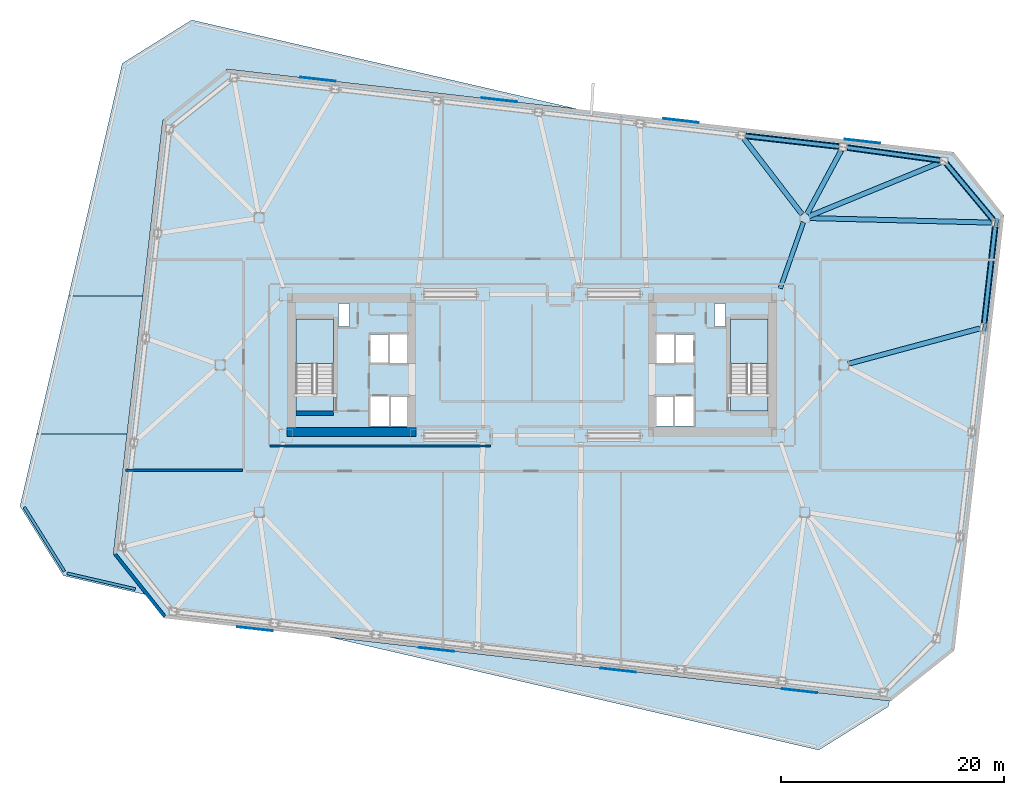
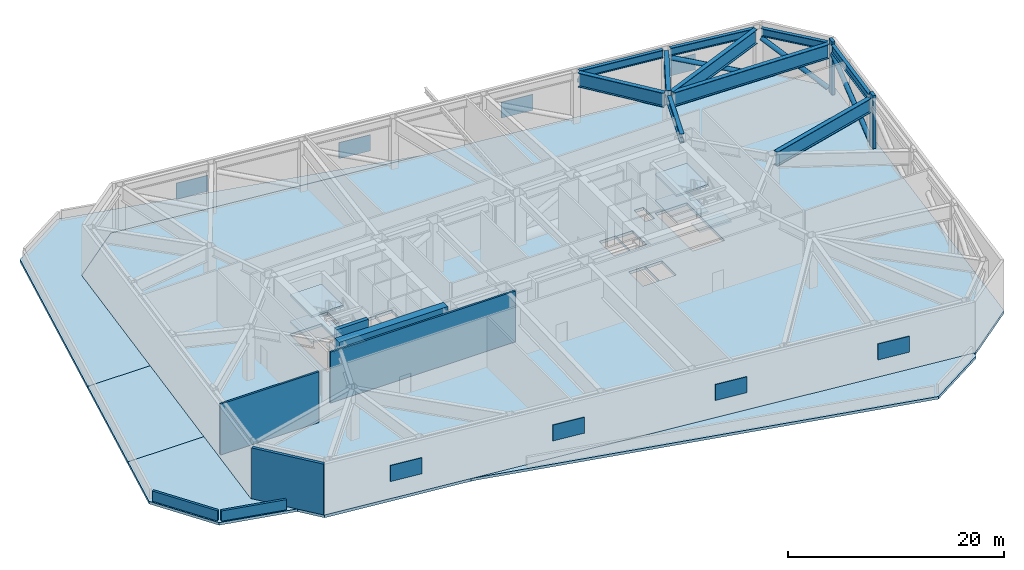
# One storey, part 3 of 14: 11 slabs, 10 beams, 8 plates, 7 walls, 6 members, 2 elements without a shape of their own.
"""IFC4 building model written with IfcOpenShell, lengths in metres."""

from ifc_helpers import new_model, si_unit, direction, frame, frame_2d, origin, origin_2d, place, context, subcontext, project, spatial, polyline, rectangle, hollow_circle, i_section, outline, extrude, material, layer, layer_set, material_profile, profile_set, type_object, element, aggregate, save


model = new_model("IFC4")

# Units and contexts
model_context = context("Model", 3, precision=1e-05, world=origin(), true_north=direction((0.0, 1.0)))
body_context = subcontext(model_context, "Body", "Model", "MODEL_VIEW")
ifc_project = project(units=[si_unit("LENGTHUNIT", "METRE"), si_unit("AREAUNIT", "SQUARE_METRE"), si_unit("VOLUMEUNIT", "CUBIC_METRE"), si_unit("PLANEANGLEUNIT", "RADIAN"), si_unit("MASSUNIT", "GRAM", prefix="KILO")], contexts=[model_context])

# Site, building, storey
site_placement = place(None, origin())
site = spatial("IfcSite", under=ifc_project, at=site_placement, CompositionType="ELEMENT")
building_placement = place(site_placement, origin())
building = spatial("IfcBuilding", under=site, at=building_placement, Name="Tavrogorsk Clinical Tower", CompositionType="ELEMENT")
storey_placement = place(building_placement, frame((0.0, 0.0, 83.39990234375)))
storey = spatial("IfcBuildingStorey", under=building, at=storey_placement, Name="L18", CompositionType="ELEMENT", Elevation=83.39990234375)

# Members
ifc_material_1 = material(Name="Structural steel S440", Category="steel")
ifc_material_profile_1 = material_profile(ifc_material_1, hollow_circle(Radius=0.25390625, WallThickness=0.02001953125, at=origin_2d()), Name="CHS-508x20")
ifc_profile_set_1 = profile_set([ifc_material_profile_1], Name="Structural steel S440")
member_type_1 = type_object("IfcMemberType", Name="ExoBrace_CHS508", PredefinedType="BRACE", material=ifc_profile_set_1)
member_1_placement = place(storey_placement, frame((40.587646484375, 3.6962890625, 0.502197265625), z_axis=(0.102479036309, 0.899437885492, 0.424864139765), x_axis=(-0.993571727242, 0.113204341016, 0.0)))
element("IfcMember", 1, at=member_1_placement, inside=storey, type_object=member_type_1, Name="L18 Exoskeleton Belt Diagonal E4-E5", PredefinedType="BRACE", context=body_context, shape_type="SweptSolid", body=[
    extrude(hollow_circle(Radius=0.25390625, WallThickness=0.02001953125, at=origin_2d()), origin(), (0.0, 0.0, 1.0), 9.734375),
])
member_2_placement = place(storey_placement, frame((41.426513671875, 13.0078125, 0.53759765625), z_axis=(-0.545436882111, 0.654492812187, 0.523581671211), x_axis=(-0.768206152367, -0.640202551905, 0.0)))
element("IfcMember", 2, at=member_2_placement, inside=storey, type_object=member_type_1, Name="L18 Exoskeleton Belt Diagonal E5-N1", PredefinedType="BRACE", context=body_context, shape_type="SweptSolid", body=[
    extrude(hollow_circle(Radius=0.25390625, WallThickness=0.02001953125, at=origin_2d()), origin(), (0.0, 0.0, 1.0), 7.763671875),
])
member_3_placement = place(storey_placement, frame((36.677490234375, 18.3671875, 0.50634765625), z_axis=(-0.891435454001, 0.122285566492, 0.436335961821), x_axis=(-0.13590549568, -0.990721805677, 0.0)))
element("IfcMember", 3, at=member_3_placement, inside=storey, type_object=member_type_1, Name="L18 Exoskeleton Belt Diagonal N1-N2", PredefinedType="BRACE", context=body_context, shape_type="SweptSolid", body=[
    extrude(hollow_circle(Radius=0.25390625, WallThickness=0.02001953125, at=origin_2d()), origin(), (0.0, 0.0, 1.0), 9.459228515625),
])
member_4_placement = place(storey_placement, frame((27.605712890625, 19.604248046875, 0.506103515625), z_axis=(-0.89439520505, 0.101892798594, 0.435517020078), x_axis=(-0.113191519986, -0.993573187945, 0.0)))
element("IfcMember", 4, at=member_4_placement, inside=storey, type_object=member_type_1, Name="L18 Exoskeleton Belt Diagonal N2-N3", PredefinedType="BRACE", context=body_context, shape_type="SweptSolid", body=[
    extrude(hollow_circle(Radius=0.25390625, WallThickness=0.02001953125, at=origin_2d()), origin(), (0.0, 0.0, 1.0), 9.478759765625),
])
ifc_material_2 = material(Name="Precast concrete B45 with limestone cladding", Category="masonry")
ifc_material_profile_2 = material_profile(ifc_material_2, rectangle(XDim=0.320068359375, YDim=0.719970703125, at=origin_2d()), Name="LIMESTONE-FIN-320x720")
ifc_profile_set_2 = profile_set([ifc_material_profile_2], Name="Precast concrete B45 with limestone cladding")
member_type_2 = type_object("IfcMemberType", Name="LimestonePleatFin_320x720", PredefinedType="USERDEFINED", material=ifc_profile_set_2)
for number, where, z_axis, x_axis, name in (
    (5, (40.63037109375, 3.365234375, 0.0), (0.0, 0.0, 1.0), (0.993571855677, -0.113203213768, 0.0), "L18 E Pleated Stone Fin 3"),
    (6, (41.701416015625, 12.7646484375, 0.0), (0.0, 0.0, 1.0), (0.993571855677, -0.113203213768, 0.0), "L18 E Pleated Stone Fin 4"),
):
    element("IfcMember", number, at=place(storey_placement, frame(where, z_axis=z_axis, x_axis=x_axis)), inside=storey, type_object=member_type_2, Name=name, ObjectType="FIN", PredefinedType="USERDEFINED", context=body_context, shape_type="SweptSolid", body=[
        extrude(rectangle(XDim=0.320068359375, YDim=0.719970703125, at=origin_2d()), origin(), (0.0, 0.0, 1.0), 6.0),
    ])

# Beams
ifc_material_3 = material(Name="Structural steel S440", Category="steel")
ifc_material_profile_3 = material_profile(ifc_material_3, i_section(OverallWidth=0.39990234375, OverallDepth=1.0, WebThickness=0.028076171875, FlangeThickness=0.044921875, at=origin_2d()), Name="DK-1000x400x28x45")
ifc_profile_set_3 = profile_set([ifc_material_profile_3], Name="Structural steel S440")
beam_type_1 = type_object("IfcBeamType", Name="TransferGirder_DK1000", PredefinedType="USERDEFINED", material=ifc_profile_set_3)
beam_1_placement = place(storey_placement, frame((24.364501953125, 12.81298828125, 5.239990234375), z_axis=(-0.330668611543, -0.943746930771, 0.0), x_axis=(0.943746930771, -0.330668611543, 0.0)))
element("IfcBeam", 7, at=beam_1_placement, inside=storey, type_object=beam_type_1, Name="L18 Spine Link Girder OPG-4", ObjectType="GIRDER", PredefinedType="USERDEFINED", context=body_context, shape_type="SweptSolid", body=[
    extrude(i_section(OverallWidth=0.39990234375, OverallDepth=1.0, WebThickness=0.028076171875, FlangeThickness=0.044921875, at=origin_2d()), origin(), (0.0, 0.0, 1.0), 6.288330078125),
])
ifc_material_4 = material(Name="Structural steel S440", Category="steel")
ifc_material_profile_4 = material_profile(ifc_material_4, i_section(OverallWidth=0.449951171875, OverallDepth=1.60009765625, WebThickness=0.031982421875, FlangeThickness=0.050048828125, at=origin_2d()), Name="DK-1600x450x32x50")
ifc_profile_set_4 = profile_set([ifc_material_profile_4], Name="Structural steel S440")
beam_type_2 = type_object("IfcBeamType", Name="TransferGirder_DK1600", PredefinedType="USERDEFINED", material=ifc_profile_set_4)
beam_2_placement = place(storey_placement, frame((24.87939453125, 13.35546875, 4.940185546875), z_axis=(0.925250223374, 0.379357383143, 0.0), x_axis=(-0.379357383143, 0.925250223374, 0.0)))
element("IfcBeam", 8, at=beam_2_placement, inside=storey, type_object=beam_type_2, Name="L18 Radial Floor Beam N1", ObjectType="GIRDER", PredefinedType="USERDEFINED", context=body_context, shape_type="SweptSolid", body=[
    extrude(i_section(OverallWidth=0.449951171875, OverallDepth=1.60009765625, WebThickness=0.031982421875, FlangeThickness=0.050048828125, at=origin_2d()), origin(), (0.0, 0.0, 1.0), 12.738037109375),
])
beam_3_placement = place(storey_placement, frame((24.6943359375, 13.56103515625, 4.940185546875), z_axis=(0.473788919736, 0.880638438597, 0.0), x_axis=(-0.880638438597, 0.473788919736, 0.0)))
element("IfcBeam", 9, at=beam_3_placement, inside=storey, type_object=beam_type_2, Name="L18 Radial Floor Beam N2", ObjectType="GIRDER", PredefinedType="USERDEFINED", context=body_context, shape_type="SweptSolid", body=[
    extrude(i_section(OverallWidth=0.449951171875, OverallDepth=1.60009765625, WebThickness=0.031982421875, FlangeThickness=0.050048828125, at=origin_2d()), origin(), (0.0, 0.0, 1.0), 6.462890625),
])
beam_4_placement = place(storey_placement, frame((24.250244140625, 13.525146484375, 4.940185546875), z_axis=(-0.609376288757, 0.792881163038, 0.0), x_axis=(-0.792881163038, -0.609376288757, 0.0)))
element("IfcBeam", 10, at=beam_4_placement, inside=storey, type_object=beam_type_2, Name="L18 Radial Floor Beam N3", ObjectType="GIRDER", PredefinedType="USERDEFINED", context=body_context, shape_type="SweptSolid", body=[
    extrude(i_section(OverallWidth=0.449951171875, OverallDepth=1.60009765625, WebThickness=0.031982421875, FlangeThickness=0.050048828125, at=origin_2d()), origin(), (0.0, 0.0, 1.0), 8.5732421875),
])
beam_5_placement = place(storey_placement, frame((28.39599609375, 0.1064453125, 4.940185546875), z_axis=(0.965705720144, 0.259639099677, 0.0), x_axis=(-0.259639099677, 0.965705720144, 0.0)))
element("IfcBeam", 11, at=beam_5_placement, inside=storey, type_object=beam_type_2, Name="L18 Radial Floor Beam E4", ObjectType="GIRDER", PredefinedType="USERDEFINED", context=body_context, shape_type="SweptSolid", body=[
    extrude(i_section(OverallWidth=0.449951171875, OverallDepth=1.60009765625, WebThickness=0.031982421875, FlangeThickness=0.050048828125, at=origin_2d()), origin(), (0.0, 0.0, 1.0), 12.228759765625),
])
beam_6_placement = place(storey_placement, frame((24.909912109375, 13.189697265625, 4.940185546875), z_axis=(0.999690121031, -0.024893009314, 0.0), x_axis=(0.024893009314, 0.999690121031, 0.0)))
element("IfcBeam", 12, at=beam_6_placement, inside=storey, type_object=beam_type_2, Name="L18 Radial Floor Beam E5", ObjectType="GIRDER", PredefinedType="USERDEFINED", context=body_context, shape_type="SweptSolid", body=[
    extrude(i_section(OverallWidth=0.449951171875, OverallDepth=1.60009765625, WebThickness=0.031982421875, FlangeThickness=0.050048828125, at=origin_2d()), origin(), (0.0, 0.0, 1.0), 16.359130859375),
])
ifc_material_5 = material(Name="Structural steel S440", Category="steel")
ifc_material_profile_5 = material_profile(ifc_material_5, i_section(OverallWidth=0.360107421875, OverallDepth=0.89990234375, WebThickness=0.02392578125, FlangeThickness=0.0400390625, at=origin_2d()), Name="DK-900x360x24x40")
ifc_profile_set_5 = profile_set([ifc_material_profile_5], Name="Structural steel S440")
beam_type_3 = type_object("IfcBeamType", Name="TransferGirder_DK900", PredefinedType="USERDEFINED", material=ifc_profile_set_5)
beam_7_placement = place(storey_placement, frame((40.591552734375, 3.72998046875, 5.2900390625), z_axis=(0.113189086379, 0.993573465188, 0.0), x_axis=(-0.993573465188, 0.113189086379, 0.0)))
element("IfcBeam", 13, at=beam_7_placement, inside=storey, type_object=beam_type_3, Name="L18 Perimeter Spandrel E4-E5", ObjectType="GIRDER", PredefinedType="USERDEFINED", context=body_context, shape_type="SweptSolid", body=[
    extrude(i_section(OverallWidth=0.360107421875, OverallDepth=0.89990234375, WebThickness=0.02392578125, FlangeThickness=0.0400390625, at=origin_2d()), origin(), (0.0, 0.0, 1.0), 8.744140625),
])
beam_8_placement = place(storey_placement, frame((41.392578125, 13.048583984375, 5.2900390625), z_axis=(-0.640191778751, 0.768215130299, 0.0), x_axis=(-0.768215130299, -0.640191778751, 0.0)))
element("IfcBeam", 14, at=beam_8_placement, inside=storey, type_object=beam_type_3, Name="L18 Perimeter Spandrel E5-N1", ObjectType="GIRDER", PredefinedType="USERDEFINED", context=body_context, shape_type="SweptSolid", body=[
    extrude(i_section(OverallWidth=0.360107421875, OverallDepth=0.89990234375, WebThickness=0.02392578125, FlangeThickness=0.0400390625, at=origin_2d()), origin(), (0.0, 0.0, 1.0), 6.508544921875),
])
beam_9_placement = place(storey_placement, frame((36.641845703125, 18.3720703125, 5.2900390625), z_axis=(-0.990722121657, 0.135903192232, 0.0), x_axis=(-0.135903192232, -0.990722121657, 0.0)))
element("IfcBeam", 15, at=beam_9_placement, inside=storey, type_object=beam_type_3, Name="L18 Perimeter Spandrel N1-N2", ObjectType="GIRDER", PredefinedType="USERDEFINED", context=body_context, shape_type="SweptSolid", body=[
    extrude(i_section(OverallWidth=0.360107421875, OverallDepth=0.89990234375, WebThickness=0.02392578125, FlangeThickness=0.0400390625, at=origin_2d()), origin(), (0.0, 0.0, 1.0), 8.439697265625),
])
beam_10_placement = place(storey_placement, frame((27.5703125, 19.608154296875, 5.2900390625), z_axis=(-0.993569819641, 0.113221082395, 0.0), x_axis=(-0.113221082395, -0.993569819641, 0.0)))
element("IfcBeam", 16, at=beam_10_placement, inside=storey, type_object=beam_type_3, Name="L18 Perimeter Spandrel N2-N3", ObjectType="GIRDER", PredefinedType="USERDEFINED", context=body_context, shape_type="SweptSolid", body=[
    extrude(i_section(OverallWidth=0.360107421875, OverallDepth=0.89990234375, WebThickness=0.02392578125, FlangeThickness=0.0400390625, at=origin_2d()), origin(), (0.0, 0.0, 1.0), 8.46142578125),
])

# Plates
ifc_material_6 = material(Name="Powder-coated aluminium acoustic louvre", Category="aluminium")
ifc_layer_1 = layer(ifc_material_6, 0.074951171875)
ifc_layer_set_1 = layer_set([ifc_layer_1], Name="Powder-coated aluminium acoustic louvre")
plate_type = type_object("IfcPlateType", Name="AcousticPlantLouvre_75", PredefinedType="SHEET", material=ifc_layer_set_1)
for number, where, z_axis, x_axis, name in (
    (17, (-24.852783203125, -23.685546875, 1.97021484375), (0.0, 0.0, 1.0), (0.993571734386, -0.113204278321, 0.0), "L18 Plant Acoustic Louvre S-1-1"),
    (18, (-8.55810546875, -25.5419921875, 1.97021484375), (0.0, 0.0, 1.0), (0.993571734386, -0.113204278321, 0.0), "L18 Plant Acoustic Louvre S-1-2"),
    (19, (7.736328125, -27.398681640625, 1.97021484375), (0.0, 0.0, 1.0), (0.993571734386, -0.113204278321, 0.0), "L18 Plant Acoustic Louvre S-1-3"),
    (20, (24.031005859375, -29.255126953125, 1.97021484375), (0.0, 0.0, 1.0), (0.993571734386, -0.113204278321, 0.0), "L18 Plant Acoustic Louvre S-1-4"),
    (21, (29.652587890625, 20.085693359375, 1.97021484375), (0.0, 0.0, 1.0), (-0.993571734386, 0.113204278321, 0.0), "L18 Plant Acoustic Louvre N-1-1"),
    (22, (13.358154296875, 21.942138671875, 1.97021484375), (0.0, 0.0, 1.0), (-0.993571734386, 0.113204278321, 0.0), "L18 Plant Acoustic Louvre N-1-2"),
    (23, (-2.936279296875, 23.798583984375, 1.97021484375), (0.0, 0.0, 1.0), (-0.993571734386, 0.113204278321, 0.0), "L18 Plant Acoustic Louvre N-1-3"),
    (24, (-19.23095703125, 25.6552734375, 1.97021484375), (0.0, 0.0, 1.0), (-0.993571734386, 0.113204278321, 0.0), "L18 Plant Acoustic Louvre N-1-4"),
):
    element("IfcPlate", number, at=place(storey_placement, frame(where, z_axis=z_axis, x_axis=x_axis)), inside=storey, type_object=plate_type, Name=name, PredefinedType="SHEET", context=body_context, shape_type="SweptSolid", body=[
        extrude(rectangle(XDim=3.199951171875, YDim=0.074951171875, at=origin_2d()), origin(), (0.0, 0.0, 1.0), 1.800048828125),
    ])

# Slabs
ifc_material_7 = material(Name="Concrete B60", Category="concrete")
ifc_layer_2 = layer(ifc_material_7, 0.300048828125)
ifc_layer_set_2 = layer_set([ifc_layer_2], Name="Concrete B60")
slab_type_1 = type_object("IfcSlabType", Name="CrownTopRoofSlab_300", PredefinedType="ROOF", material=ifc_layer_set_2)
slab_1_placement = place(storey_placement, frame((0.0, 0.0, -0.2998046875)))
element("IfcSlab", 25, at=slab_1_placement, inside=storey, type_object=slab_type_1, Name="L18 Setback Roof Slab 1", PredefinedType="ROOF", context=body_context, shape_type="SweptSolid", body=[
    extrude(outline(polyline([(-45.9638671875, -12.67919921875), (-44.468017578125, -6.199951171875), (-36.34716796875, -6.199951171875), (-37.574462890625, -16.972412109375), (-34.67041015625, -20.623291015625), (-42.06689453125, -18.91552734375), (-45.9638671875, -12.67919921875)])), origin(), (0.0, 0.0, 1.0), 0.2998046875),
])
slab_2_placement = place(storey_placement, frame((0.0, 0.0, -0.2998046875)))
element("IfcSlab", 26, at=slab_2_placement, inside=storey, type_object=slab_type_1, Name="L18 Setback Roof Slab 2", PredefinedType="ROOF", context=body_context, shape_type="SweptSolid", body=[
    extrude(outline(polyline([(25.749267578125, -34.572265625), (-18.30517578125, -24.4013671875), (32.108154296875, -30.145263671875), (31.98583984375, -30.67529296875), (25.749267578125, -34.572265625)])), origin(), (0.0, 0.0, 1.0), 0.2998046875),
])
slab_3_placement = place(storey_placement, frame((0.0, 0.0, -0.2998046875)))
element("IfcSlab", 27, at=slab_3_placement, inside=storey, type_object=slab_type_1, Name="L18 Setback Roof Slab 3", PredefinedType="ROOF", context=body_context, shape_type="SweptSolid", body=[
    extrude(outline(polyline([(-36.785888671875, 27.0751953125), (-30.54931640625, 30.97216796875), (4.151123046875, 22.9609375), (-27.381591796875, 26.5537109375), (-33.136962890625, 21.9755859375), (-34.934326171875, 6.199951171875), (-41.605224609375, 6.199951171875), (-36.785888671875, 27.0751953125)])), origin(), (0.0, 0.0, 1.0), 0.2998046875),
])
slab_4_placement = place(storey_placement, frame((0.0, 0.0, -0.2998046875)))
element("IfcSlab", 28, at=slab_4_placement, inside=storey, type_object=slab_type_1, Name="L18 Setback Roof Slab 4", PredefinedType="ROOF", context=body_context, shape_type="SweptSolid", body=[
    extrude(outline(polyline([(-41.605224609375, 6.199951171875), (-34.934326171875, 6.199951171875), (-36.34716796875, -6.199951171875), (-44.468017578125, -6.199951171875), (-41.605224609375, 6.199951171875)])), origin(), (0.0, 0.0, 1.0), 0.2998046875),
])
ifc_material_8 = material(Name="Concrete B60", Category="concrete")
ifc_layer_3 = layer(ifc_material_8, 0.320068359375)
ifc_layer_set_3 = layer_set([ifc_layer_3], Name="Concrete B60")
slab_type_2 = type_object("IfcSlabType", Name="PlantRefugeSlab_320", PredefinedType="FLOOR", material=ifc_layer_set_3)
slab_5_placement = place(storey_placement, frame((0.0, 0.0, -0.31982421875)))
element("IfcSlab", 29, at=slab_5_placement, inside=storey, type_object=slab_type_2, Name="L18 Structural Slab", PredefinedType="FLOOR", context=body_context, shape_type="SweptSolid", body=[
    extrude(outline(polyline([(-32.99658203125, -22.7275390625), (32.181640625, -30.153564453125), (37.93701171875, -25.57568359375), (42.37451171875, 13.372314453125), (37.796630859375, 19.12744140625), (-27.381591796875, 26.5537109375), (-33.136962890625, 21.9755859375), (-37.574462890625, -16.972412109375), (-32.99658203125, -22.7275390625)]), holes=[polyline([(-17.800048828125, -2.8798828125), (-17.800048828125, 4.125), (-21.199951171875, 4.125), (-21.199951171875, -2.8798828125), (-17.800048828125, -2.8798828125)]), polyline([(21.199951171875, -2.8798828125), (21.199951171875, 4.125), (17.800048828125, 4.125), (17.800048828125, -2.8798828125), (21.199951171875, -2.8798828125)]), polyline([(-14.6201171875, 0.169921875), (-12.860107421875, 0.169921875), (-12.860107421875, 2.72998046875), (-14.6201171875, 2.72998046875), (-14.6201171875, 0.169921875)]), polyline([(-14.530029296875, -5.47998046875), (-12.77001953125, -5.47998046875), (-12.77001953125, -2.820068359375), (-14.530029296875, -2.820068359375), (-14.530029296875, -5.47998046875)]), polyline([(-12.72998046875, -5.47998046875), (-10.969970703125, -5.47998046875), (-10.969970703125, -2.820068359375), (-12.72998046875, -2.820068359375), (-12.72998046875, -5.47998046875)]), polyline([(-12.840087890625, 0.1201171875), (-11.080078125, 0.1201171875), (-11.080078125, 2.780029296875), (-12.840087890625, 2.780029296875), (-12.840087890625, 0.1201171875)]), polyline([(12.860107421875, 0.169921875), (14.6201171875, 0.169921875), (14.6201171875, 2.72998046875), (12.860107421875, 2.72998046875), (12.860107421875, 0.169921875)]), polyline([(12.77001953125, -5.47998046875), (14.530029296875, -5.47998046875), (14.530029296875, -2.820068359375), (12.77001953125, -2.820068359375), (12.77001953125, -5.47998046875)]), polyline([(10.969970703125, -5.47998046875), (12.72998046875, -5.47998046875), (12.72998046875, -2.820068359375), (10.969970703125, -2.820068359375), (10.969970703125, -5.47998046875)]), polyline([(11.080078125, 0.1201171875), (12.840087890625, 0.1201171875), (12.840087890625, 2.780029296875), (11.080078125, 2.780029296875), (11.080078125, 0.1201171875)]), polyline([(-17.3798828125, 3.449951171875), (-16.3798828125, 3.449951171875), (-16.3798828125, 5.5), (-17.3798828125, 5.5), (-17.3798828125, 3.449951171875)]), polyline([(16.3798828125, 3.449951171875), (17.3798828125, 3.449951171875), (17.3798828125, 5.5), (16.3798828125, 5.5), (16.3798828125, 3.449951171875)])]), origin(), (0.0, 0.0, 1.0), 0.31982421875),
])

# Stair, slabs
ifc_material_9 = material(Name="Concrete B60", Category="concrete")
stair_type = type_object("IfcStairType", Name="CoreStairAssembly", PredefinedType="HALF_TURN_STAIR", material=ifc_material_9)
stair_1_placement = place(storey_placement, origin())
stair_1 = element("IfcStair", 30, at=stair_1_placement, inside=storey, type_object=stair_type, Name="L18 ST-W", PredefinedType="HALF_TURN_STAIR")
ifc_material_10 = material(Name="Concrete B60", Category="concrete")
ifc_layer_4 = layer(ifc_material_10, 0.199951171875)
ifc_layer_set_4 = layer_set([ifc_layer_4], Name="Concrete B60")
slab_type_3 = type_object("IfcSlabType", Name="StairLanding_200", PredefinedType="LANDING", material=ifc_layer_set_4)
slab_6_placement = place(storey_placement, frame((0.0, 0.0, 1.300048828125)))
slab_6 = element("IfcSlab", 31, at=slab_6_placement, type_object=slab_type_3, Name="ST-W landing 1", PredefinedType="LANDING", context=body_context, shape_type="SweptSolid", body=[
    extrude(outline(polyline([(-17.800048828125, 0.14501953125), (-17.800048828125, 4.125), (-21.199951171875, 4.125), (-21.199951171875, 0.14501953125), (-17.800048828125, 0.14501953125)])), origin(), (0.0, 0.0, 1.0), 0.199951171875),
])
slab_7_placement = place(storey_placement, frame((0.0, 0.0, 2.800048828125)))
slab_7 = element("IfcSlab", 32, at=slab_7_placement, type_object=slab_type_3, Name="ST-W landing 2", PredefinedType="LANDING", context=body_context, shape_type="SweptSolid", body=[
    extrude(outline(polyline([(-17.800048828125, -4.125), (-17.800048828125, -2.574951171875), (-21.199951171875, -2.574951171875), (-21.199951171875, -4.125), (-17.800048828125, -4.125)])), origin(), (0.0, 0.0, 1.0), 0.199951171875),
])
slab_8_placement = place(storey_placement, frame((0.0, 0.0, 4.300048828125)))
slab_8 = element("IfcSlab", 33, at=slab_8_placement, type_object=slab_type_3, Name="ST-W landing 3", PredefinedType="LANDING", context=body_context, shape_type="SweptSolid", body=[
    extrude(outline(polyline([(-17.800048828125, 0.14501953125), (-17.800048828125, 4.125), (-21.199951171875, 4.125), (-21.199951171875, 0.14501953125), (-17.800048828125, 0.14501953125)])), origin(), (0.0, 0.0, 1.0), 0.199951171875),
])
aggregate(stair_1, [slab_6, slab_7, slab_8])

stair_2_placement = place(storey_placement, origin())
stair_2 = element("IfcStair", 34, at=stair_2_placement, inside=storey, type_object=stair_type, Name="L18 ST-E", PredefinedType="HALF_TURN_STAIR")
slab_9_placement = place(storey_placement, frame((0.0, 0.0, 1.300048828125)))
slab_9 = element("IfcSlab", 35, at=slab_9_placement, type_object=slab_type_3, Name="ST-E landing 1", PredefinedType="LANDING", context=body_context, shape_type="SweptSolid", body=[
    extrude(outline(polyline([(21.199951171875, 0.14501953125), (21.199951171875, 4.125), (17.800048828125, 4.125), (17.800048828125, 0.14501953125), (21.199951171875, 0.14501953125)])), origin(), (0.0, 0.0, 1.0), 0.199951171875),
])
slab_10_placement = place(storey_placement, frame((0.0, 0.0, 2.800048828125)))
slab_10 = element("IfcSlab", 36, at=slab_10_placement, type_object=slab_type_3, Name="ST-E landing 2", PredefinedType="LANDING", context=body_context, shape_type="SweptSolid", body=[
    extrude(outline(polyline([(21.199951171875, -4.125), (21.199951171875, -2.574951171875), (17.800048828125, -2.574951171875), (17.800048828125, -4.125), (21.199951171875, -4.125)])), origin(), (0.0, 0.0, 1.0), 0.199951171875),
])
slab_11_placement = place(storey_placement, frame((0.0, 0.0, 4.300048828125)))
slab_11 = element("IfcSlab", 37, at=slab_11_placement, type_object=slab_type_3, Name="ST-E landing 3", PredefinedType="LANDING", context=body_context, shape_type="SweptSolid", body=[
    extrude(outline(polyline([(21.199951171875, 0.14501953125), (21.199951171875, 4.125), (17.800048828125, 4.125), (17.800048828125, 0.14501953125), (21.199951171875, 0.14501953125)])), origin(), (0.0, 0.0, 1.0), 0.199951171875),
])
aggregate(stair_2, [slab_9, slab_10, slab_11])

# Walls
ifc_material_11 = material(Name="Concrete B60", Category="concrete")
ifc_layer_5 = layer(ifc_material_11, 0.199951171875)
ifc_layer_set_5 = layer_set([ifc_layer_5], Name="Concrete B60")
wall_type_1 = type_object("IfcWallType", Name="CoreFireWall_200", PredefinedType="SOLIDWALL", material=ifc_layer_set_5)
wall_1_placement = place(storey_placement, frame((-23.514892578125, -7.27001953125, 0.0), z_axis=(0.0, 0.0, 1.0), x_axis=(1.0, 0.0, 0.0)))
element("IfcWall", 38, at=wall_1_placement, inside=storey, type_object=wall_type_1, Name="L18 Refuge Corridor Fire Wall 22", PredefinedType="SOLIDWALL", context=body_context, shape_type="SweptSolid", body=[
    extrude(rectangle(XDim=19.77978515625, YDim=0.199951171875, at=frame_2d((9.889892578125, 0.0))), origin(), (0.0, 0.0, 1.0), 5.739990234375),
])
wall_2_placement = place(storey_placement, frame((-36.49609375, -9.449951171875, 0.0), z_axis=(0.0, 0.0, 1.0), x_axis=(1.0, 0.0, 0.0)))
element("IfcWall", 39, at=wall_2_placement, inside=storey, type_object=wall_type_1, Name="L18 Refuge & Plant Fire Wall 1", PredefinedType="SOLIDWALL", context=body_context, shape_type="SweptSolid", body=[
    extrude(rectangle(XDim=10.510986328125, YDim=0.199951171875, at=frame_2d((5.25537109375, 0.0))), origin(), (0.0, 0.0, 1.0), 5.739990234375),
])
ifc_material_12 = material(Name="Concrete B60", Category="concrete")
ifc_layer_6 = layer(ifc_material_12, 0.25)
ifc_layer_set_6 = layer_set([ifc_layer_6], Name="Concrete B60")
wall_type_2 = type_object("IfcWallType", Name="RoofParapetWall_250", PredefinedType="PARAPET", material=ifc_layer_set_6)
wall_3_placement = place(storey_placement, frame((-41.9755859375, -18.533203125, 0.0), z_axis=(0.0, 0.0, 1.0), x_axis=(-0.529924732154, 0.848044679396, 0.0)))
element("IfcWall", 40, at=wall_3_placement, inside=storey, type_object=wall_type_2, Name="L18 Setback Coping Parapet 1", PredefinedType="PARAPET", context=body_context, shape_type="SweptSolid", body=[
    extrude(rectangle(XDim=6.802001953125, YDim=0.25, at=frame_2d((3.40087890625, 0.0))), origin(), (0.0, 0.0, 1.0), 1.150146484375),
])
wall_4_placement = place(storey_placement, frame((-35.607177734375, -20.119384765625, 0.0), z_axis=(0.0, 0.0, 1.0), x_axis=(-0.974374835844, 0.22493038762, 0.0)))
element("IfcWall", 41, at=wall_4_placement, inside=storey, type_object=wall_type_2, Name="L18 Setback Coping Parapet 7", PredefinedType="PARAPET", context=body_context, shape_type="SweptSolid", body=[
    extrude(rectangle(XDim=6.288818359375, YDim=0.25, at=frame_2d((3.14453125, 0.0))), origin(), (0.0, 0.0, 1.0), 1.150146484375),
])
ifc_material_13 = material(Name="Concrete B80", Category="concrete")
ifc_layer_7 = layer(ifc_material_13, 0.39990234375)
ifc_layer_set_7 = layer_set([ifc_layer_7], Name="Concrete B80")
wall_type_3 = type_object("IfcWallType", Name="ShearWall_400", PredefinedType="SHEAR", material=ifc_layer_set_7)
wall_5_placement = place(storey_placement, frame((-21.199951171875, -4.324951171875, 0.0), z_axis=(0.0, 0.0, 1.0), x_axis=(1.0, 0.0, 0.0)))
element("IfcWall", 42, at=wall_5_placement, inside=storey, type_object=wall_type_3, Name="L18 Core West Stair Shaft South Shear Wall", PredefinedType="SHEAR", context=body_context, shape_type="SweptSolid", body=[
    extrude(rectangle(XDim=3.39990234375, YDim=0.39990234375, at=frame_2d((1.699951171875, 0.0))), origin(), (0.0, 0.0, 1.0), 5.739990234375),
])
ifc_material_14 = material(Name="Concrete B80", Category="concrete")
ifc_layer_8 = layer(ifc_material_14, 0.800048828125)
ifc_layer_set_8 = layer_set([ifc_layer_8], Name="Concrete B80")
wall_type_4 = type_object("IfcWallType", Name="ShearWall_800", PredefinedType="SHEAR", material=ifc_layer_set_8)
wall_6_placement = place(storey_placement, frame((-22.0, -6.0, 0.0), z_axis=(0.0, 0.0, 1.0), x_axis=(1.0, 0.0, 0.0)))
element("IfcWall", 43, at=wall_6_placement, inside=storey, type_object=wall_type_4, Name="L18 Core West South Shear Wall", PredefinedType="SHEAR", context=body_context, shape_type="SweptSolid", body=[
    extrude(rectangle(XDim=11.60009765625, YDim=0.800048828125, at=frame_2d((5.800048828125, 0.0))), origin(), (0.0, 0.0, 1.0), 5.739990234375),
])
ifc_material_15 = material(Name="Precast concrete B45 with mineral wool", Category="concrete")
ifc_layer_9 = layer(ifc_material_15, 0.300048828125)
ifc_layer_set_9 = layer_set([ifc_layer_9], Name="Precast concrete B45 with mineral wool")
wall_type_5 = type_object("IfcWallType", Name="SpandrelBackWall_300", PredefinedType="STANDARD", material=ifc_layer_set_9)
wall_7_placement = place(storey_placement, frame((-37.41552734375, -16.990478515625, 0.0), z_axis=(0.0, 0.0, 1.0), x_axis=(0.622512122839, -0.782610156412, 0.0)))
element("IfcWall", 44, at=wall_7_placement, inside=storey, type_object=wall_type_5, Name="L18 Chamfered Corner Wall 4", PredefinedType="STANDARD", context=body_context, shape_type="SweptSolid", body=[
    extrude(rectangle(XDim=7.127685546875, YDim=0.300048828125, at=frame_2d((3.56396484375, 0.0))), origin(), (0.0, 0.0, 1.0), 5.739990234375),
])

save(model, "model.ifc")
